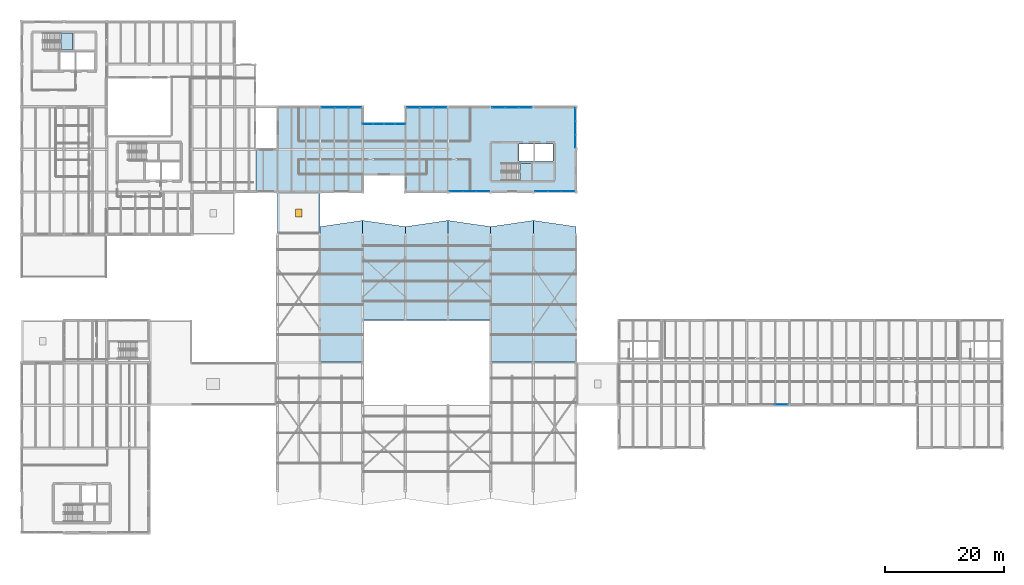
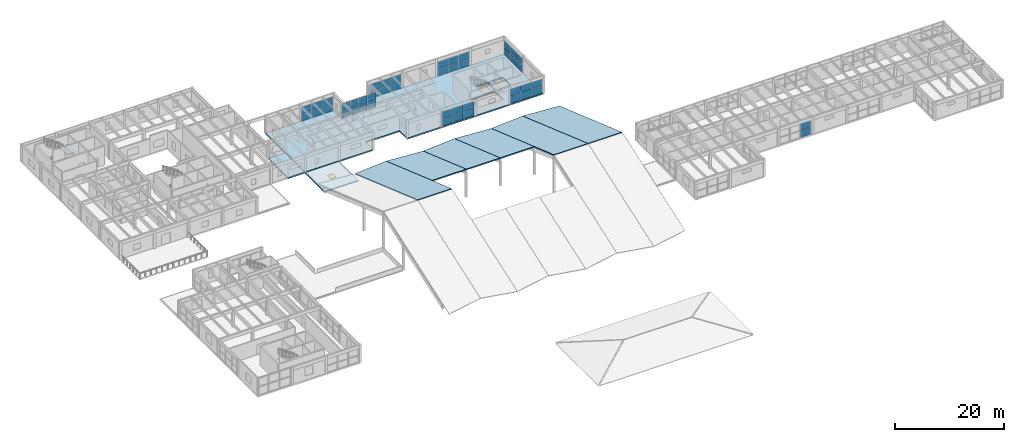
# One storey, part 51 of 68: 46 plates, 11 slabs, 1 door, 1 opening, 10 elements without a shape of their own.
"""IFC4 building model written with IfcOpenShell, lengths in metres."""

from ifc_helpers import new_model, si_unit, direction, frame, origin, origin_2d, place, context, subcontext, project, spatial, polyline, rectangle, outline, extrude, material, layer, layer_set, type_object, element, fill, aggregate, save


model = new_model("IFC4")

# Units and contexts
model_context = context("Model", 3, precision=1e-05, world=origin(), true_north=direction((0.0, 1.0)))
body_context = subcontext(model_context, "Body", "Model", "MODEL_VIEW")
ifc_project = project(units=[si_unit("LENGTHUNIT", "METRE"), si_unit("AREAUNIT", "SQUARE_METRE"), si_unit("VOLUMEUNIT", "CUBIC_METRE"), si_unit("PLANEANGLEUNIT", "RADIAN"), si_unit("MASSUNIT", "GRAM", prefix="KILO")], contexts=[model_context])

# Site, building, storey
site_placement = place(None, origin())
site = spatial("IfcSite", under=ifc_project, at=site_placement, CompositionType="ELEMENT")
building_placement = place(site_placement, origin())
building = spatial("IfcBuilding", under=site, at=building_placement, Name="Bramvelor Terrace Health Centre", CompositionType="ELEMENT")
storey_placement = place(building_placement, frame((0.0, 0.0, 9.300048828125)))
storey = spatial("IfcBuildingStorey", under=building, at=storey_placement, Name="L03", CompositionType="ELEMENT", Elevation=9.300048828125)

# Curtain wall, plates
ifc_material_1 = material(Name="Anodized aluminium and double low-E glass", Category="aluminium")
curtain_wall_type_1 = type_object("IfcCurtainWallType", Name="CW-SYS-27", PredefinedType="NOTDEFINED", material=ifc_material_1)
curtain_wall_1_placement = place(storey_placement, origin())
curtain_wall_1 = element("IfcCurtainWall", 1, at=curtain_wall_1_placement, inside=storey, type_object=curtain_wall_type_1, Name="L03 Unitized Curtain Wall 171", PredefinedType="NOTDEFINED")
ifc_material_2 = material(Name="Double low-E laminated glass", Category="glass")
ifc_layer_1 = layer(ifc_material_2, 0.028076171875)
ifc_layer_set_1 = layer_set([ifc_layer_1], Name="Double low-E laminated glass")
plate_type = type_object("IfcPlateType", Name="CW-PNL-GLZ28", PredefinedType="CURTAIN_PANEL", material=ifc_layer_set_1)
plate_1_placement = place(storey_placement, frame((128.24462890625, 50.530029296875, 0.06494140625), z_axis=(0.0, 0.0, 1.0), x_axis=(-1.0, 0.0, 0.0)))
plate_1 = element("IfcPlate", 2, at=plate_1_placement, type_object=plate_type, Name="CW-27 panel 1.1", PredefinedType="CURTAIN_PANEL", context=body_context, shape_type="SweptSolid", body=[
    extrude(rectangle(XDim=2.15087890625, YDim=0.028076171875, at=origin_2d()), origin(), (0.0, 0.0, 1.0), 1.517578125),
])
plate_2_placement = place(storey_placement, frame((128.24462890625, 50.530029296875, 1.6474609375), z_axis=(0.0, 0.0, 1.0), x_axis=(-1.0, 0.0, 0.0)))
plate_2 = element("IfcPlate", 3, at=plate_2_placement, type_object=plate_type, Name="CW-27 panel 1.2", PredefinedType="CURTAIN_PANEL", context=body_context, shape_type="SweptSolid", body=[
    extrude(rectangle(XDim=2.15087890625, YDim=0.028076171875, at=origin_2d()), origin(), (0.0, 0.0, 1.0), 1.517578125),
])
aggregate(curtain_wall_1, [plate_1, plate_2])

curtain_wall_2_placement = place(storey_placement, origin())
curtain_wall_2 = element("IfcCurtainWall", 4, at=curtain_wall_2_placement, inside=storey, type_object=curtain_wall_type_1, Name="L03 Unitized Curtain Wall 174", PredefinedType="NOTDEFINED")
plate_3_placement = place(storey_placement, frame((51.75537109375, 100.669921875, 0.06494140625), z_axis=(0.0, 0.0, 1.0), x_axis=(1.0, 0.0, 0.0)))
plate_3 = element("IfcPlate", 5, at=plate_3_placement, type_object=plate_type, Name="CW-27 panel 1.1", PredefinedType="CURTAIN_PANEL", context=body_context, shape_type="SweptSolid", body=[
    extrude(rectangle(XDim=2.15087890625, YDim=0.028076171875, at=origin_2d()), origin(), (0.0, 0.0, 1.0), 1.517578125),
])
plate_4_placement = place(storey_placement, frame((51.75537109375, 100.669921875, 1.6474609375), z_axis=(0.0, 0.0, 1.0), x_axis=(1.0, 0.0, 0.0)))
plate_4 = element("IfcPlate", 6, at=plate_4_placement, type_object=plate_type, Name="CW-27 panel 1.2", PredefinedType="CURTAIN_PANEL", context=body_context, shape_type="SweptSolid", body=[
    extrude(rectangle(XDim=2.15087890625, YDim=0.028076171875, at=origin_2d()), origin(), (0.0, 0.0, 1.0), 1.517578125),
])
plate_5_placement = place(storey_placement, frame((54.0, 100.669921875, 0.06494140625), z_axis=(0.0, 0.0, 1.0), x_axis=(1.0, 0.0, 0.0)))
plate_5 = element("IfcPlate", 7, at=plate_5_placement, type_object=plate_type, Name="CW-27 panel 2.1", PredefinedType="CURTAIN_PANEL", context=body_context, shape_type="SweptSolid", body=[
    extrude(rectangle(XDim=2.188232421875, YDim=0.028076171875, at=origin_2d()), origin(), (0.0, 0.0, 1.0), 1.517578125),
])
plate_6_placement = place(storey_placement, frame((54.0, 100.669921875, 1.6474609375), z_axis=(0.0, 0.0, 1.0), x_axis=(1.0, 0.0, 0.0)))
plate_6 = element("IfcPlate", 8, at=plate_6_placement, type_object=plate_type, Name="CW-27 panel 2.2", PredefinedType="CURTAIN_PANEL", context=body_context, shape_type="SweptSolid", body=[
    extrude(rectangle(XDim=2.188232421875, YDim=0.028076171875, at=origin_2d()), origin(), (0.0, 0.0, 1.0), 1.517578125),
])
plate_7_placement = place(storey_placement, frame((56.24462890625, 100.669921875, 0.06494140625), z_axis=(0.0, 0.0, 1.0), x_axis=(1.0, 0.0, 0.0)))
plate_7 = element("IfcPlate", 9, at=plate_7_placement, type_object=plate_type, Name="CW-27 panel 3.1", PredefinedType="CURTAIN_PANEL", context=body_context, shape_type="SweptSolid", body=[
    extrude(rectangle(XDim=2.15087890625, YDim=0.028076171875, at=origin_2d()), origin(), (0.0, 0.0, 1.0), 1.517578125),
])
plate_8_placement = place(storey_placement, frame((56.24462890625, 100.669921875, 1.6474609375), z_axis=(0.0, 0.0, 1.0), x_axis=(1.0, 0.0, 0.0)))
plate_8 = element("IfcPlate", 10, at=plate_8_placement, type_object=plate_type, Name="CW-27 panel 3.2", PredefinedType="CURTAIN_PANEL", context=body_context, shape_type="SweptSolid", body=[
    extrude(rectangle(XDim=2.15087890625, YDim=0.028076171875, at=origin_2d()), origin(), (0.0, 0.0, 1.0), 1.517578125),
])
aggregate(curtain_wall_2, [plate_3, plate_4, plate_5, plate_6, plate_7, plate_8])

ifc_material_3 = material(Name="Anodized aluminium and double low-E glass", Category="aluminium")
curtain_wall_type_2 = type_object("IfcCurtainWallType", Name="CW-SYS-01", PredefinedType="NOTDEFINED", material=ifc_material_3)
curtain_wall_3_placement = place(storey_placement, origin())
curtain_wall_3 = element("IfcCurtainWall", 11, at=curtain_wall_3_placement, inside=storey, type_object=curtain_wall_type_2, Name="L03 Unitized Curtain Wall 175", PredefinedType="NOTDEFINED")
plate_9_placement = place(storey_placement, frame((58.48876953125, 97.8701171875, 0.06494140625), z_axis=(0.0, 0.0, 1.0), x_axis=(1.0, 0.0, 0.0)))
plate_9 = element("IfcPlate", 12, at=plate_9_placement, type_object=plate_type, Name="CW-01 panel 1.1", PredefinedType="CURTAIN_PANEL", context=body_context, shape_type="SweptSolid", body=[
    extrude(rectangle(XDim=1.70751953125, YDim=0.028076171875, at=origin_2d()), origin(), (0.0, 0.0, 1.0), 1.5576171875),
])
plate_10_placement = place(storey_placement, frame((58.48876953125, 97.8701171875, 1.6875), z_axis=(0.0, 0.0, 1.0), x_axis=(1.0, 0.0, 0.0)))
plate_10 = element("IfcPlate", 13, at=plate_10_placement, type_object=plate_type, Name="CW-01 panel 1.2", PredefinedType="CURTAIN_PANEL", context=body_context, shape_type="SweptSolid", body=[
    extrude(rectangle(XDim=1.70751953125, YDim=0.028076171875, at=origin_2d()), origin(), (0.0, 0.0, 1.0), 1.5576171875),
])
plate_11_placement = place(storey_placement, frame((60.2900390625, 97.8701171875, 0.06494140625), z_axis=(0.0, 0.0, 1.0), x_axis=(1.0, 0.0, 0.0)))
plate_11 = element("IfcPlate", 14, at=plate_11_placement, type_object=plate_type, Name="CW-01 panel 2.1", PredefinedType="CURTAIN_PANEL", context=body_context, shape_type="SweptSolid", body=[
    extrude(rectangle(XDim=1.7451171875, YDim=0.028076171875, at=origin_2d()), origin(), (0.0, 0.0, 1.0), 1.5576171875),
])
plate_12_placement = place(storey_placement, frame((60.2900390625, 97.8701171875, 1.6875), z_axis=(0.0, 0.0, 1.0), x_axis=(1.0, 0.0, 0.0)))
plate_12 = element("IfcPlate", 15, at=plate_12_placement, type_object=plate_type, Name="CW-01 panel 2.2", PredefinedType="CURTAIN_PANEL", context=body_context, shape_type="SweptSolid", body=[
    extrude(rectangle(XDim=1.7451171875, YDim=0.028076171875, at=origin_2d()), origin(), (0.0, 0.0, 1.0), 1.5576171875),
])
plate_13_placement = place(storey_placement, frame((62.110107421875, 97.8701171875, 0.06494140625), z_axis=(0.0, 0.0, 1.0), x_axis=(1.0, 0.0, 0.0)))
plate_13 = element("IfcPlate", 16, at=plate_13_placement, type_object=plate_type, Name="CW-01 panel 3.1", PredefinedType="CURTAIN_PANEL", context=body_context, shape_type="SweptSolid", body=[
    extrude(rectangle(XDim=1.7451171875, YDim=0.028076171875, at=origin_2d()), origin(), (0.0, 0.0, 1.0), 1.5576171875),
])
plate_14_placement = place(storey_placement, frame((62.110107421875, 97.8701171875, 1.6875), z_axis=(0.0, 0.0, 1.0), x_axis=(1.0, 0.0, 0.0)))
plate_14 = element("IfcPlate", 17, at=plate_14_placement, type_object=plate_type, Name="CW-01 panel 3.2", PredefinedType="CURTAIN_PANEL", context=body_context, shape_type="SweptSolid", body=[
    extrude(rectangle(XDim=1.7451171875, YDim=0.028076171875, at=origin_2d()), origin(), (0.0, 0.0, 1.0), 1.5576171875),
])
plate_15_placement = place(storey_placement, frame((63.9111328125, 97.8701171875, 0.06494140625), z_axis=(0.0, 0.0, 1.0), x_axis=(1.0, 0.0, 0.0)))
plate_15 = element("IfcPlate", 18, at=plate_15_placement, type_object=plate_type, Name="CW-01 panel 4.1", PredefinedType="CURTAIN_PANEL", context=body_context, shape_type="SweptSolid", body=[
    extrude(rectangle(XDim=1.70751953125, YDim=0.028076171875, at=origin_2d()), origin(), (0.0, 0.0, 1.0), 1.5576171875),
])
plate_16_placement = place(storey_placement, frame((63.9111328125, 97.8701171875, 1.6875), z_axis=(0.0, 0.0, 1.0), x_axis=(1.0, 0.0, 0.0)))
plate_16 = element("IfcPlate", 19, at=plate_16_placement, type_object=plate_type, Name="CW-01 panel 4.2", PredefinedType="CURTAIN_PANEL", context=body_context, shape_type="SweptSolid", body=[
    extrude(rectangle(XDim=1.70751953125, YDim=0.028076171875, at=origin_2d()), origin(), (0.0, 0.0, 1.0), 1.5576171875),
])
aggregate(curtain_wall_3, [plate_9, plate_10, plate_11, plate_12, plate_13, plate_14, plate_15, plate_16])

curtain_wall_4_placement = place(storey_placement, origin())
curtain_wall_4 = element("IfcCurtainWall", 20, at=curtain_wall_4_placement, inside=storey, type_object=curtain_wall_type_1, Name="L03 Unitized Curtain Wall 176", PredefinedType="NOTDEFINED")
plate_17_placement = place(storey_placement, frame((66.155517578125, 100.669921875, 0.06494140625), z_axis=(0.0, 0.0, 1.0), x_axis=(1.0, 0.0, 0.0)))
plate_17 = element("IfcPlate", 21, at=plate_17_placement, type_object=plate_type, Name="CW-27 panel 1.1", PredefinedType="CURTAIN_PANEL", context=body_context, shape_type="SweptSolid", body=[
    extrude(rectangle(XDim=2.15087890625, YDim=0.028076171875, at=origin_2d()), origin(), (0.0, 0.0, 1.0), 1.517578125),
])
plate_18_placement = place(storey_placement, frame((66.155517578125, 100.669921875, 1.6474609375), z_axis=(0.0, 0.0, 1.0), x_axis=(1.0, 0.0, 0.0)))
plate_18 = element("IfcPlate", 22, at=plate_18_placement, type_object=plate_type, Name="CW-27 panel 1.2", PredefinedType="CURTAIN_PANEL", context=body_context, shape_type="SweptSolid", body=[
    extrude(rectangle(XDim=2.15087890625, YDim=0.028076171875, at=origin_2d()), origin(), (0.0, 0.0, 1.0), 1.517578125),
])
plate_19_placement = place(storey_placement, frame((68.39990234375, 100.669921875, 0.06494140625), z_axis=(0.0, 0.0, 1.0), x_axis=(1.0, 0.0, 0.0)))
plate_19 = element("IfcPlate", 23, at=plate_19_placement, type_object=plate_type, Name="CW-27 panel 2.1", PredefinedType="CURTAIN_PANEL", context=body_context, shape_type="SweptSolid", body=[
    extrude(rectangle(XDim=2.188232421875, YDim=0.028076171875, at=origin_2d()), origin(), (0.0, 0.0, 1.0), 1.517578125),
])
plate_20_placement = place(storey_placement, frame((68.39990234375, 100.669921875, 1.6474609375), z_axis=(0.0, 0.0, 1.0), x_axis=(1.0, 0.0, 0.0)))
plate_20 = element("IfcPlate", 24, at=plate_20_placement, type_object=plate_type, Name="CW-27 panel 2.2", PredefinedType="CURTAIN_PANEL", context=body_context, shape_type="SweptSolid", body=[
    extrude(rectangle(XDim=2.188232421875, YDim=0.028076171875, at=origin_2d()), origin(), (0.0, 0.0, 1.0), 1.517578125),
])
plate_21_placement = place(storey_placement, frame((70.64453125, 100.669921875, 0.06494140625), z_axis=(0.0, 0.0, 1.0), x_axis=(1.0, 0.0, 0.0)))
plate_21 = element("IfcPlate", 25, at=plate_21_placement, type_object=plate_type, Name="CW-27 panel 3.1", PredefinedType="CURTAIN_PANEL", context=body_context, shape_type="SweptSolid", body=[
    extrude(rectangle(XDim=2.15087890625, YDim=0.028076171875, at=origin_2d()), origin(), (0.0, 0.0, 1.0), 1.517578125),
])
plate_22_placement = place(storey_placement, frame((70.64453125, 100.669921875, 1.6474609375), z_axis=(0.0, 0.0, 1.0), x_axis=(1.0, 0.0, 0.0)))
plate_22 = element("IfcPlate", 26, at=plate_22_placement, type_object=plate_type, Name="CW-27 panel 3.2", PredefinedType="CURTAIN_PANEL", context=body_context, shape_type="SweptSolid", body=[
    extrude(rectangle(XDim=2.15087890625, YDim=0.028076171875, at=origin_2d()), origin(), (0.0, 0.0, 1.0), 1.517578125),
])
aggregate(curtain_wall_4, [plate_17, plate_18, plate_19, plate_20, plate_21, plate_22])

curtain_wall_5_placement = place(storey_placement, origin())
curtain_wall_5 = element("IfcCurtainWall", 27, at=curtain_wall_5_placement, inside=storey, type_object=curtain_wall_type_1, Name="L03 Unitized Curtain Wall 177", PredefinedType="NOTDEFINED")
plate_23_placement = place(storey_placement, frame((80.555419921875, 100.669921875, 0.06494140625), z_axis=(0.0, 0.0, 1.0), x_axis=(1.0, 0.0, 0.0)))
plate_23 = element("IfcPlate", 28, at=plate_23_placement, type_object=plate_type, Name="CW-27 panel 1.1", PredefinedType="CURTAIN_PANEL", context=body_context, shape_type="SweptSolid", body=[
    extrude(rectangle(XDim=2.15087890625, YDim=0.028076171875, at=origin_2d()), origin(), (0.0, 0.0, 1.0), 1.517578125),
])
plate_24_placement = place(storey_placement, frame((80.555419921875, 100.669921875, 1.6474609375), z_axis=(0.0, 0.0, 1.0), x_axis=(1.0, 0.0, 0.0)))
plate_24 = element("IfcPlate", 29, at=plate_24_placement, type_object=plate_type, Name="CW-27 panel 1.2", PredefinedType="CURTAIN_PANEL", context=body_context, shape_type="SweptSolid", body=[
    extrude(rectangle(XDim=2.15087890625, YDim=0.028076171875, at=origin_2d()), origin(), (0.0, 0.0, 1.0), 1.517578125),
])
plate_25_placement = place(storey_placement, frame((82.800048828125, 100.669921875, 0.06494140625), z_axis=(0.0, 0.0, 1.0), x_axis=(1.0, 0.0, 0.0)))
plate_25 = element("IfcPlate", 30, at=plate_25_placement, type_object=plate_type, Name="CW-27 panel 2.1", PredefinedType="CURTAIN_PANEL", context=body_context, shape_type="SweptSolid", body=[
    extrude(rectangle(XDim=2.188232421875, YDim=0.028076171875, at=origin_2d()), origin(), (0.0, 0.0, 1.0), 1.517578125),
])
plate_26_placement = place(storey_placement, frame((82.800048828125, 100.669921875, 1.6474609375), z_axis=(0.0, 0.0, 1.0), x_axis=(1.0, 0.0, 0.0)))
plate_26 = element("IfcPlate", 31, at=plate_26_placement, type_object=plate_type, Name="CW-27 panel 2.2", PredefinedType="CURTAIN_PANEL", context=body_context, shape_type="SweptSolid", body=[
    extrude(rectangle(XDim=2.188232421875, YDim=0.028076171875, at=origin_2d()), origin(), (0.0, 0.0, 1.0), 1.517578125),
])
plate_27_placement = place(storey_placement, frame((85.044677734375, 100.669921875, 0.06494140625), z_axis=(0.0, 0.0, 1.0), x_axis=(1.0, 0.0, 0.0)))
plate_27 = element("IfcPlate", 32, at=plate_27_placement, type_object=plate_type, Name="CW-27 panel 3.1", PredefinedType="CURTAIN_PANEL", context=body_context, shape_type="SweptSolid", body=[
    extrude(rectangle(XDim=2.15087890625, YDim=0.028076171875, at=origin_2d()), origin(), (0.0, 0.0, 1.0), 1.517578125),
])
plate_28_placement = place(storey_placement, frame((85.044677734375, 100.669921875, 1.6474609375), z_axis=(0.0, 0.0, 1.0), x_axis=(1.0, 0.0, 0.0)))
plate_28 = element("IfcPlate", 33, at=plate_28_placement, type_object=plate_type, Name="CW-27 panel 3.2", PredefinedType="CURTAIN_PANEL", context=body_context, shape_type="SweptSolid", body=[
    extrude(rectangle(XDim=2.15087890625, YDim=0.028076171875, at=origin_2d()), origin(), (0.0, 0.0, 1.0), 1.517578125),
])
aggregate(curtain_wall_5, [plate_23, plate_24, plate_25, plate_26, plate_27, plate_28])

curtain_wall_6_placement = place(storey_placement, origin())
curtain_wall_6 = element("IfcCurtainWall", 34, at=curtain_wall_6_placement, inside=storey, type_object=curtain_wall_type_1, Name="L03 Unitized Curtain Wall 178", PredefinedType="NOTDEFINED")
plate_29_placement = place(storey_placement, frame((93.469970703125, 99.444580078125, 0.06494140625), z_axis=(0.0, 0.0, 1.0), x_axis=(0.0, -1.0, 0.0)))
plate_29 = element("IfcPlate", 35, at=plate_29_placement, type_object=plate_type, Name="CW-27 panel 1.1", PredefinedType="CURTAIN_PANEL", context=body_context, shape_type="SweptSolid", body=[
    extrude(rectangle(XDim=2.15087890625, YDim=0.028076171875, at=origin_2d()), origin(), (0.0, 0.0, 1.0), 1.517578125),
])
plate_30_placement = place(storey_placement, frame((93.469970703125, 99.444580078125, 1.6474609375), z_axis=(0.0, 0.0, 1.0), x_axis=(0.0, -1.0, 0.0)))
plate_30 = element("IfcPlate", 36, at=plate_30_placement, type_object=plate_type, Name="CW-27 panel 1.2", PredefinedType="CURTAIN_PANEL", context=body_context, shape_type="SweptSolid", body=[
    extrude(rectangle(XDim=2.15087890625, YDim=0.028076171875, at=origin_2d()), origin(), (0.0, 0.0, 1.0), 1.517578125),
])
plate_31_placement = place(storey_placement, frame((93.469970703125, 97.199951171875, 0.06494140625), z_axis=(0.0, 0.0, 1.0), x_axis=(0.0, -1.0, 0.0)))
plate_31 = element("IfcPlate", 37, at=plate_31_placement, type_object=plate_type, Name="CW-27 panel 2.1", PredefinedType="CURTAIN_PANEL", context=body_context, shape_type="SweptSolid", body=[
    extrude(rectangle(XDim=2.188232421875, YDim=0.028076171875, at=origin_2d()), origin(), (0.0, 0.0, 1.0), 1.517578125),
])
plate_32_placement = place(storey_placement, frame((93.469970703125, 97.199951171875, 1.6474609375), z_axis=(0.0, 0.0, 1.0), x_axis=(0.0, -1.0, 0.0)))
plate_32 = element("IfcPlate", 38, at=plate_32_placement, type_object=plate_type, Name="CW-27 panel 2.2", PredefinedType="CURTAIN_PANEL", context=body_context, shape_type="SweptSolid", body=[
    extrude(rectangle(XDim=2.188232421875, YDim=0.028076171875, at=origin_2d()), origin(), (0.0, 0.0, 1.0), 1.517578125),
])
plate_33_placement = place(storey_placement, frame((93.469970703125, 94.955322265625, 0.06494140625), z_axis=(0.0, 0.0, 1.0), x_axis=(0.0, -1.0, 0.0)))
plate_33 = element("IfcPlate", 39, at=plate_33_placement, type_object=plate_type, Name="CW-27 panel 3.1", PredefinedType="CURTAIN_PANEL", context=body_context, shape_type="SweptSolid", body=[
    extrude(rectangle(XDim=2.15087890625, YDim=0.028076171875, at=origin_2d()), origin(), (0.0, 0.0, 1.0), 1.517578125),
])
plate_34_placement = place(storey_placement, frame((93.469970703125, 94.955322265625, 1.6474609375), z_axis=(0.0, 0.0, 1.0), x_axis=(0.0, -1.0, 0.0)))
plate_34 = element("IfcPlate", 40, at=plate_34_placement, type_object=plate_type, Name="CW-27 panel 3.2", PredefinedType="CURTAIN_PANEL", context=body_context, shape_type="SweptSolid", body=[
    extrude(rectangle(XDim=2.15087890625, YDim=0.028076171875, at=origin_2d()), origin(), (0.0, 0.0, 1.0), 1.517578125),
])
aggregate(curtain_wall_6, [plate_29, plate_30, plate_31, plate_32, plate_33, plate_34])

curtain_wall_7_placement = place(storey_placement, origin())
curtain_wall_7 = element("IfcCurtainWall", 41, at=curtain_wall_7_placement, inside=storey, type_object=curtain_wall_type_1, Name="L03 Unitized Curtain Wall 179", PredefinedType="NOTDEFINED")
plate_35_placement = place(storey_placement, frame((92.24462890625, 86.530029296875, 0.06494140625), z_axis=(0.0, 0.0, 1.0), x_axis=(-1.0, 0.0, 0.0)))
plate_35 = element("IfcPlate", 42, at=plate_35_placement, type_object=plate_type, Name="CW-27 panel 1.1", PredefinedType="CURTAIN_PANEL", context=body_context, shape_type="SweptSolid", body=[
    extrude(rectangle(XDim=2.15087890625, YDim=0.028076171875, at=origin_2d()), origin(), (0.0, 0.0, 1.0), 1.517578125),
])
plate_36_placement = place(storey_placement, frame((92.24462890625, 86.530029296875, 1.6474609375), z_axis=(0.0, 0.0, 1.0), x_axis=(-1.0, 0.0, 0.0)))
plate_36 = element("IfcPlate", 43, at=plate_36_placement, type_object=plate_type, Name="CW-27 panel 1.2", PredefinedType="CURTAIN_PANEL", context=body_context, shape_type="SweptSolid", body=[
    extrude(rectangle(XDim=2.15087890625, YDim=0.028076171875, at=origin_2d()), origin(), (0.0, 0.0, 1.0), 1.517578125),
])
plate_37_placement = place(storey_placement, frame((90.0, 86.530029296875, 0.06494140625), z_axis=(0.0, 0.0, 1.0), x_axis=(-1.0, 0.0, 0.0)))
plate_37 = element("IfcPlate", 44, at=plate_37_placement, type_object=plate_type, Name="CW-27 panel 2.1", PredefinedType="CURTAIN_PANEL", context=body_context, shape_type="SweptSolid", body=[
    extrude(rectangle(XDim=2.188232421875, YDim=0.028076171875, at=origin_2d()), origin(), (0.0, 0.0, 1.0), 1.517578125),
])
plate_38_placement = place(storey_placement, frame((90.0, 86.530029296875, 1.6474609375), z_axis=(0.0, 0.0, 1.0), x_axis=(-1.0, 0.0, 0.0)))
plate_38 = element("IfcPlate", 45, at=plate_38_placement, type_object=plate_type, Name="CW-27 panel 2.2", PredefinedType="CURTAIN_PANEL", context=body_context, shape_type="SweptSolid", body=[
    extrude(rectangle(XDim=2.188232421875, YDim=0.028076171875, at=origin_2d()), origin(), (0.0, 0.0, 1.0), 1.517578125),
])
plate_39_placement = place(storey_placement, frame((87.75537109375, 86.530029296875, 0.06494140625), z_axis=(0.0, 0.0, 1.0), x_axis=(-1.0, 0.0, 0.0)))
plate_39 = element("IfcPlate", 46, at=plate_39_placement, type_object=plate_type, Name="CW-27 panel 3.1", PredefinedType="CURTAIN_PANEL", context=body_context, shape_type="SweptSolid", body=[
    extrude(rectangle(XDim=2.15087890625, YDim=0.028076171875, at=origin_2d()), origin(), (0.0, 0.0, 1.0), 1.517578125),
])
plate_40_placement = place(storey_placement, frame((87.75537109375, 86.530029296875, 1.6474609375), z_axis=(0.0, 0.0, 1.0), x_axis=(-1.0, 0.0, 0.0)))
plate_40 = element("IfcPlate", 47, at=plate_40_placement, type_object=plate_type, Name="CW-27 panel 3.2", PredefinedType="CURTAIN_PANEL", context=body_context, shape_type="SweptSolid", body=[
    extrude(rectangle(XDim=2.15087890625, YDim=0.028076171875, at=origin_2d()), origin(), (0.0, 0.0, 1.0), 1.517578125),
])
aggregate(curtain_wall_7, [plate_35, plate_36, plate_37, plate_38, plate_39, plate_40])

curtain_wall_8_placement = place(storey_placement, origin())
curtain_wall_8 = element("IfcCurtainWall", 48, at=curtain_wall_8_placement, inside=storey, type_object=curtain_wall_type_1, Name="L03 Unitized Curtain Wall 180", PredefinedType="NOTDEFINED")
plate_41_placement = place(storey_placement, frame((77.844482421875, 86.530029296875, 0.06494140625), z_axis=(0.0, 0.0, 1.0), x_axis=(-1.0, 0.0, 0.0)))
plate_41 = element("IfcPlate", 49, at=plate_41_placement, type_object=plate_type, Name="CW-27 panel 1.1", PredefinedType="CURTAIN_PANEL", context=body_context, shape_type="SweptSolid", body=[
    extrude(rectangle(XDim=2.15087890625, YDim=0.028076171875, at=origin_2d()), origin(), (0.0, 0.0, 1.0), 1.517578125),
])
plate_42_placement = place(storey_placement, frame((77.844482421875, 86.530029296875, 1.6474609375), z_axis=(0.0, 0.0, 1.0), x_axis=(-1.0, 0.0, 0.0)))
plate_42 = element("IfcPlate", 50, at=plate_42_placement, type_object=plate_type, Name="CW-27 panel 1.2", PredefinedType="CURTAIN_PANEL", context=body_context, shape_type="SweptSolid", body=[
    extrude(rectangle(XDim=2.15087890625, YDim=0.028076171875, at=origin_2d()), origin(), (0.0, 0.0, 1.0), 1.517578125),
])
plate_43_placement = place(storey_placement, frame((75.60009765625, 86.530029296875, 0.06494140625), z_axis=(0.0, 0.0, 1.0), x_axis=(-1.0, 0.0, 0.0)))
plate_43 = element("IfcPlate", 51, at=plate_43_placement, type_object=plate_type, Name="CW-27 panel 2.1", PredefinedType="CURTAIN_PANEL", context=body_context, shape_type="SweptSolid", body=[
    extrude(rectangle(XDim=2.188232421875, YDim=0.028076171875, at=origin_2d()), origin(), (0.0, 0.0, 1.0), 1.517578125),
])
plate_44_placement = place(storey_placement, frame((75.60009765625, 86.530029296875, 1.6474609375), z_axis=(0.0, 0.0, 1.0), x_axis=(-1.0, 0.0, 0.0)))
plate_44 = element("IfcPlate", 52, at=plate_44_placement, type_object=plate_type, Name="CW-27 panel 2.2", PredefinedType="CURTAIN_PANEL", context=body_context, shape_type="SweptSolid", body=[
    extrude(rectangle(XDim=2.188232421875, YDim=0.028076171875, at=origin_2d()), origin(), (0.0, 0.0, 1.0), 1.517578125),
])
plate_45_placement = place(storey_placement, frame((73.35546875, 86.530029296875, 0.06494140625), z_axis=(0.0, 0.0, 1.0), x_axis=(-1.0, 0.0, 0.0)))
plate_45 = element("IfcPlate", 53, at=plate_45_placement, type_object=plate_type, Name="CW-27 panel 3.1", PredefinedType="CURTAIN_PANEL", context=body_context, shape_type="SweptSolid", body=[
    extrude(rectangle(XDim=2.15087890625, YDim=0.028076171875, at=origin_2d()), origin(), (0.0, 0.0, 1.0), 1.517578125),
])
plate_46_placement = place(storey_placement, frame((73.35546875, 86.530029296875, 1.6474609375), z_axis=(0.0, 0.0, 1.0), x_axis=(-1.0, 0.0, 0.0)))
plate_46 = element("IfcPlate", 54, at=plate_46_placement, type_object=plate_type, Name="CW-27 panel 3.2", PredefinedType="CURTAIN_PANEL", context=body_context, shape_type="SweptSolid", body=[
    extrude(rectangle(XDim=2.15087890625, YDim=0.028076171875, at=origin_2d()), origin(), (0.0, 0.0, 1.0), 1.517578125),
])
aggregate(curtain_wall_8, [plate_41, plate_42, plate_43, plate_44, plate_45, plate_46])

# Slabs
ifc_material_4 = material(Name="Concrete C40/50", Category="concrete")
ifc_layer_2 = layer(ifc_material_4, 0.300048828125)
ifc_layer_set_2 = layer_set([ifc_layer_2], Name="Concrete C40/50")
slab_type_1 = type_object("IfcSlabType", Name="SLB-FLR-RC300", PredefinedType="FLOOR", material=ifc_layer_set_2)
slab_1_placement = place(storey_placement, frame((0.0, 0.0, -0.300048828125)))
element("IfcSlab", 55, at=slab_1_placement, inside=storey, type_object=slab_type_1, Name="L03 LK_L03_V4_V5 Floor Slab", PredefinedType="FLOOR", context=body_context, shape_type="SweptSolid", body=[
    extrude(outline(polyline([(43.199951171875, 86.39990234375), (43.199951171875, 93.60009765625), (39.60009765625, 93.60009765625), (39.60009765625, 86.39990234375), (43.199951171875, 86.39990234375)])), origin(), (0.0, 0.0, 1.0), 0.300048828125),
])
slab_2_placement = place(storey_placement, frame((0.0, 0.0, -0.300048828125)))
element("IfcSlab", 56, at=slab_2_placement, inside=storey, type_object=slab_type_1, Name="L03 V5 Floor Slab", PredefinedType="FLOOR", context=body_context, shape_type="SweptSolid", body=[
    extrude(outline(polyline([(57.60009765625, 89.199951171875), (57.60009765625, 86.39990234375), (43.199951171875, 86.39990234375), (43.199951171875, 100.800048828125), (57.60009765625, 100.800048828125), (57.60009765625, 98.0), (64.800048828125, 98.0), (64.800048828125, 100.800048828125), (93.60009765625, 100.800048828125), (93.60009765625, 86.39990234375), (64.800048828125, 86.39990234375), (64.800048828125, 89.199951171875), (57.60009765625, 89.199951171875)]), holes=[polyline([(81.080078125, 88.35009765625), (86.14990234375, 88.35009765625), (86.14990234375, 91.25), (81.080078125, 91.25), (81.080078125, 88.35009765625)]), polyline([(84.0, 94.5), (84.0, 91.64990234375), (86.39990234375, 91.64990234375), (86.39990234375, 94.5), (84.0, 94.5)]), polyline([(89.699951171875, 94.5), (86.699951171875, 94.5), (86.699951171875, 91.64990234375), (89.699951171875, 91.64990234375), (89.699951171875, 94.5)])]), origin(), (0.0, 0.0, 1.0), 0.300048828125),
])

# Stair, slab
ifc_material_5 = material(Name="Concrete C40/50", Category="concrete")
stair_type = type_object("IfcStairType", Name="STR-CORE", PredefinedType="HALF_TURN_STAIR", material=ifc_material_5)
stair_1_placement = place(storey_placement, origin())
stair_1 = element("IfcStair", 57, at=stair_1_placement, inside=storey, type_object=stair_type, Name="L03 C1 Primary Fire Stair", PredefinedType="HALF_TURN_STAIR")
ifc_material_6 = material(Name="Concrete C40/50", Category="concrete")
ifc_layer_3 = layer(ifc_material_6, 0.199951171875)
ifc_layer_set_3 = layer_set([ifc_layer_3], Name="Concrete C40/50")
slab_type_2 = type_object("IfcSlabType", Name="SLB-LND-200", PredefinedType="LANDING", material=ifc_layer_set_3)
slab_3_placement = place(storey_placement, frame((0.0, 0.0, 1.89990234375)))
slab_3 = element("IfcSlab", 58, at=slab_3_placement, type_object=slab_type_2, Name="ST-1 landing 1", PredefinedType="LANDING", context=body_context, shape_type="SweptSolid", body=[
    extrude(outline(polyline([(6.735107421875, 110.35009765625), (8.655029296875, 110.35009765625), (8.655029296875, 113.25), (6.735107421875, 113.25), (6.735107421875, 110.35009765625)])), origin(), (0.0, 0.0, 1.0), 0.199951171875),
])
aggregate(stair_1, [slab_3])

stair_2_placement = place(storey_placement, origin())
stair_2 = element("IfcStair", 59, at=stair_2_placement, inside=storey, type_object=stair_type, Name="L03 C4 Primary Fire Stair", PredefinedType="HALF_TURN_STAIR")
slab_4_placement = place(storey_placement, frame((0.0, 0.0, 1.89990234375)))
slab_4 = element("IfcSlab", 60, at=slab_4_placement, type_object=slab_type_2, Name="ST-4 landing 1", PredefinedType="LANDING", context=body_context, shape_type="SweptSolid", body=[
    extrude(outline(polyline([(84.135009765625, 88.35009765625), (86.054931640625, 88.35009765625), (86.054931640625, 91.25), (84.135009765625, 91.25), (84.135009765625, 88.35009765625)])), origin(), (0.0, 0.0, 1.0), 0.199951171875),
])
aggregate(stair_2, [slab_4])

# Slabs
ifc_material_7 = material(Name="Cross-laminated timber C24", Category="wood")
ifc_layer_4 = layer(ifc_material_7, 0.2099609375)
ifc_layer_set_4 = layer_set([ifc_layer_4], Name="Cross-laminated timber C24")
slab_type_3 = type_object("IfcSlabType", Name="SLB-RF-FP210", PredefinedType="ROOF", material=ifc_layer_set_4)
slab_5_placement = place(storey_placement, frame((50.39990234375, 57.679931640625, 8.671875), z_axis=(-5.044072e-06, 0.330343624265, 0.943860736487), x_axis=(0.999999999987, 1.666277e-06, 4.760902e-06)))
element("IfcSlab", 61, at=slab_5_placement, inside=storey, type_object=slab_type_3, Name="Waiting Hall Folded-Plate Roof North Bay 2", PredefinedType="ROOF", context=body_context, shape_type="SweptSolid", body=[
    extrude(outline(polyline([(0.0, 0.0), (7.200195312408405, 0.0), (7.200195312591598, 25.342884912058327), (-1.831921501294206e-10, 24.23040635194897), (0.0, 0.0)])), origin(), (0.0, 0.0, -1.0), 0.2099609375),
])
slab_6_placement = place(storey_placement, frame((57.60009765625, 64.800048828125, 6.179931640625), z_axis=(5.213703e-06, 0.330345694613, 0.943860011879), x_axis=(0.999999999986, -1.722324e-06, -4.921006e-06)))
element("IfcSlab", 62, at=slab_6_placement, inside=storey, type_object=slab_type_3, Name="Waiting Hall Folded-Plate Roof North Bay 3", PredefinedType="ROOF", context=body_context, shape_type="SweptSolid", body=[
    extrude(outline(polyline([(0.0, 0.0), (7.199951171777143, 0.0), (7.199951171972858, 16.686809698708046), (-1.9571413496869685e-10, 17.799288258655398), (0.0, 0.0)])), origin(), (0.0, 0.0, -1.0), 0.2099609375),
])
slab_7_placement = place(storey_placement, frame((64.800048828125, 64.800048828125, 6.179931640625), z_axis=(-5.213703e-06, 0.330345694613, 0.943860011879), x_axis=(0.999999999986, 1.722324e-06, 4.921006e-06)))
element("IfcSlab", 63, at=slab_7_placement, inside=storey, type_object=slab_type_3, Name="Waiting Hall Folded-Plate Roof North Bay 4", PredefinedType="ROOF", context=body_context, shape_type="SweptSolid", body=[
    extrude(outline(polyline([(0.0, 0.0), (7.199951171777143, 0.0), (7.199951171972858, 17.799288258655398), (-1.9571413496530872e-10, 16.686809698708046), (0.0, 0.0)])), origin(), (0.0, 0.0, -1.0), 0.2099609375),
])
slab_8_placement = place(storey_placement, frame((72.0, 64.800048828125, 6.179931640625), z_axis=(5.213703e-06, 0.330345694613, 0.943860011879), x_axis=(0.999999999986, -1.722324e-06, -4.921006e-06)))
element("IfcSlab", 64, at=slab_8_placement, inside=storey, type_object=slab_type_3, Name="Waiting Hall Folded-Plate Roof North Bay 5", PredefinedType="ROOF", context=body_context, shape_type="SweptSolid", body=[
    extrude(outline(polyline([(0.0, 0.0), (7.199951171777143, 0.0), (7.199951171972858, 16.686809698708046), (-1.9571413496869685e-10, 17.799288258655398), (0.0, 0.0)])), origin(), (0.0, 0.0, -1.0), 0.2099609375),
])
slab_9_placement = place(storey_placement, frame((79.199951171875, 57.679931640625, 8.671875), z_axis=(-5.044243e-06, 0.330343624265, 0.943860736487), x_axis=(0.999999999987, 1.666334e-06, 4.761063e-06)))
element("IfcSlab", 65, at=slab_9_placement, inside=storey, type_object=slab_type_3, Name="Waiting Hall Folded-Plate Roof North Bay 6", PredefinedType="ROOF", context=body_context, shape_type="SweptSolid", body=[
    extrude(outline(polyline([(0.0, 0.0), (7.199951171783401, 1.5246489653000837e-21), (7.1999511719666, 25.342884912058327), (-1.8319836192346632e-10, 24.230406351948968), (0.0, 0.0)])), origin(), (0.0, 0.0, -1.0), 0.2099609375),
])
slab_10_placement = place(storey_placement, frame((86.39990234375, 57.679931640625, 8.671875), z_axis=(5.044072e-06, 0.330343624265, 0.943860736487), x_axis=(0.999999999987, -1.666277e-06, -4.760902e-06)))
element("IfcSlab", 66, at=slab_10_placement, inside=storey, type_object=slab_type_3, Name="Waiting Hall Folded-Plate Roof North Bay 7", PredefinedType="ROOF", context=body_context, shape_type="SweptSolid", body=[
    extrude(outline(polyline([(0.0, 0.0), (7.200195312408405, 0.0), (7.200195312591597, 24.23040635194897), (-1.831921501294206e-10, 25.342884912058327), (0.0, 0.0)])), origin(), (0.0, 0.0, -1.0), 0.2099609375),
])

# Slab, opening, door
ifc_material_8 = material(Name="Concrete C40/50", Category="concrete")
ifc_layer_5 = layer(ifc_material_8, 0.219970703125)
ifc_layer_set_5 = layer_set([ifc_layer_5], Name="Concrete C40/50")
slab_type_4 = type_object("IfcSlabType", Name="SLB-RF-RC220", PredefinedType="ROOF", material=ifc_layer_set_5)
slab_11_placement = place(storey_placement, frame((0.0, 0.0, -0.300048828125)))
slab_11 = element("IfcSlab", 67, at=slab_11_placement, inside=storey, type_object=slab_type_4, Name="L03 Insulated Maintenance Roof 3", PredefinedType="ROOF", context=body_context, shape_type="SweptSolid", body=[
    extrude(outline(polyline([(43.199951171875, 79.300048828125), (43.199951171875, 86.389892578125), (50.39990234375, 86.389892578125), (50.39990234375, 79.300048828125), (43.199951171875, 79.300048828125)])), origin(), (0.0, 0.0, 1.0), 0.219970703125),
])
opening_placement = place(slab_11_placement, frame((46.800048828125, 82.844970703125, 0.0)))
opening = element("IfcOpeningElement", 68, at=opening_placement, cuts=slab_11, Name="Opening RH-01", PredefinedType="OPENING", context=body_context, shape_type="SweptSolid", body=[
    extrude(rectangle(XDim=1.10009765625, YDim=1.300048828125, at=origin_2d()), origin(), (0.0, 0.0, 1.0), 0.219970703125),
])
ifc_material_9 = material(Name="Insulated galvanized steel", Category="steel")
door_type = type_object("IfcDoorType", Name="DR-ROOF-HATCH", OperationType="SINGLE_SWING_LEFT", PredefinedType="TRAPDOOR", material=ifc_material_9)
door_placement = place(opening_placement, frame((0.0, 0.0, 0.169921875)))
door = element("IfcDoor", 69, at=door_placement, inside=storey, type_object=door_type, Name="L03 Roof Maintenance Access Hatch 1", OperationType="SINGLE_SWING_LEFT", OverallHeight=1.300048828125, OverallWidth=1.10009765625, PredefinedType="TRAPDOOR", context=body_context, shape_type="SweptSolid", body=[
    extrude(rectangle(XDim=1.10009765625, YDim=1.300048828125, at=origin_2d()), origin(), (0.0, 0.0, 1.0), 0.050048828125),
])
fill(opening, door)

save(model, "model.ifc")
